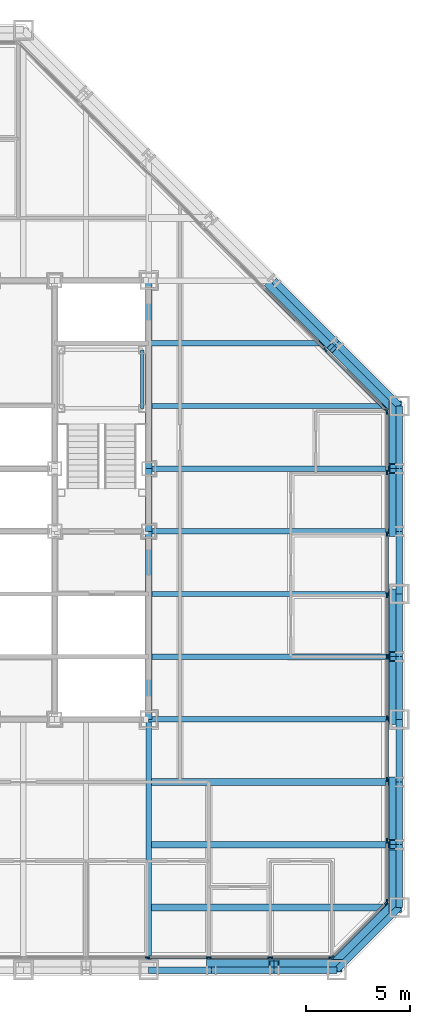
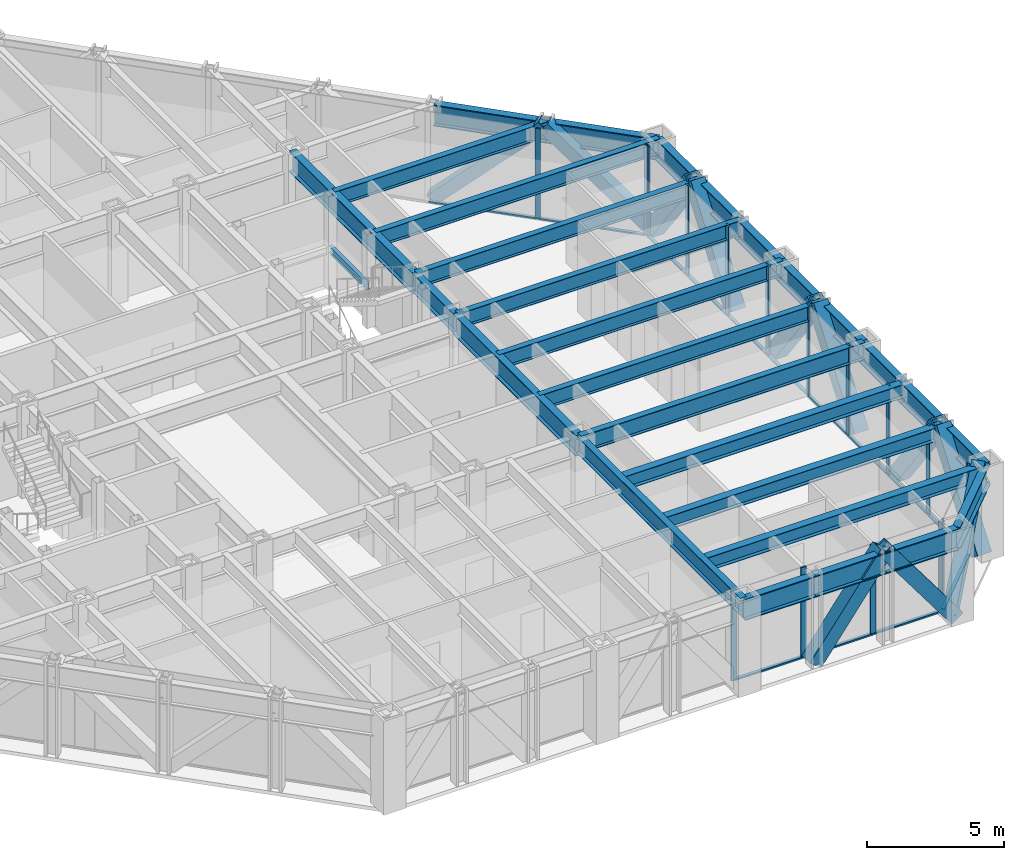
# One storey, part 6 of 16: 42 members, 29 beams, 4 elements without a shape of their own.
"""IFC4 building model written with IfcOpenShell, lengths in metres."""

from ifc_helpers import new_model, si_unit, direction, frame, origin, origin_2d, place, context, subcontext, project, spatial, rectangle, hollow_rectangle, i_section, extrude, material, layer, layer_set, material_profile, profile_set, type_object, element, aggregate, save


model = new_model("IFC4")

# Units and contexts
model_context = context("Model", 3, precision=1e-05, world=origin(), true_north=direction((0.0, 1.0)))
body_context = subcontext(model_context, "Body", "Model", "MODEL_VIEW")
ifc_project = project(units=[si_unit("LENGTHUNIT", "METRE"), si_unit("AREAUNIT", "SQUARE_METRE"), si_unit("VOLUMEUNIT", "CUBIC_METRE"), si_unit("PLANEANGLEUNIT", "RADIAN"), si_unit("MASSUNIT", "GRAM", prefix="KILO")], contexts=[model_context])

# Site, building, storey
site_placement = place(None, origin())
site = spatial("IfcSite", under=ifc_project, at=site_placement, CompositionType="ELEMENT")
building_placement = place(site_placement, origin())
building = spatial("IfcBuilding", under=site, at=building_placement, Name="Chuquiago Exchange Tower", CompositionType="ELEMENT")
storey_placement = place(building_placement, frame((0.0, 0.0, 111.0)))
storey = spatial("IfcBuildingStorey", under=building, at=storey_placement, Name="L23", CompositionType="ELEMENT", Elevation=111.0)

# Beams
ifc_material_1 = material(Name="Steel ASTM A992", Category="steel")
ifc_material_profile_1 = material_profile(ifc_material_1, i_section(OverallWidth=0.25390625, OverallDepth=0.683349609375, WebThickness=0.012451171875, FlangeThickness=0.018798828125, at=origin_2d()), Name="W27X94")
ifc_profile_set_1 = profile_set([ifc_material_profile_1], Name="Steel ASTM A992")
beam_type_1 = type_object("IfcBeamType", Name="B1 W27X94", PredefinedType="BEAM", material=ifc_profile_set_1)
for number, where, z_axis, x_axis, name in (
    (1, (33.0, 15.0, 3.698486328125), (1.0, 0.0, 0.0), (0.0, 1.0, 0.0), "FB-L24-infill-33_15-45_15-0"),
    (2, (33.0, 18.0, 3.698486328125), (1.0, 0.0, 0.0), (0.0, 1.0, 0.0), "FB-L24-infill-33_18-45_18-0"),
    (3, (33.0, 21.0, 3.698486328125), (1.0, 0.0, 0.0), (0.0, 1.0, 0.0), "FB-L24-infill-33_21-45_21-0"),
    (4, (33.0, 24.0, 3.698486328125), (1.0, 0.0, 0.0), (0.0, 1.0, 0.0), "FB-L24-infill-33_24-45_24-0"),
    (5, (33.0, 27.0, 3.698486328125), (1.0, 0.0, 0.0), (0.0, 1.0, 0.0), "FB-L24-infill-33_27-45_27-0"),
):
    element("IfcBeam", number, at=place(storey_placement, frame(where, z_axis=z_axis, x_axis=x_axis)), inside=storey, type_object=beam_type_1, Name=name, PredefinedType="BEAM", context=body_context, shape_type="SweptSolid", body=[
        extrude(i_section(OverallWidth=0.25390625, OverallDepth=0.683349609375, WebThickness=0.012451171875, FlangeThickness=0.018798828125, at=origin_2d()), origin(), (0.0, 0.0, 1.0), 12.0),
    ])
beam_1_placement = place(storey_placement, frame((33.0, 30.0, 3.698486328125), z_axis=(1.0, 0.0, 0.0), x_axis=(0.0, 1.0, 0.0)))
element("IfcBeam", 6, at=beam_1_placement, inside=storey, type_object=beam_type_1, Name="FB-L24-infill-33_30-42_30-0", PredefinedType="BEAM", context=body_context, shape_type="SweptSolid", body=[
    extrude(i_section(OverallWidth=0.25390625, OverallDepth=0.683349609375, WebThickness=0.012451171875, FlangeThickness=0.018798828125, at=origin_2d()), origin(), (0.0, 0.0, 1.0), 9.0),
])
ifc_material_2 = material(Name="Steel ASTM A992", Category="steel")
ifc_material_profile_2 = material_profile(ifc_material_2, i_section(OverallWidth=0.307373046875, OverallDepth=0.927001953125, WebThickness=0.01953125, FlangeThickness=0.031982421875, at=origin_2d()), Name="W36X194")
ifc_profile_set_2 = profile_set([ifc_material_profile_2], Name="Steel ASTM A992")
beam_type_2 = type_object("IfcBeamType", Name="B10 W36X194", PredefinedType="BEAM", material=ifc_profile_set_2)
for number, where, z_axis, x_axis, name in (
    (7, (33.0, 12.0, 3.576416015625), (0.0, 1.0, 0.0), (-1.0, 0.0, 0.0), "CB-L24-33_12-33_21"),
    (8, (33.0, 24.0, 3.576416015625), (0.0, 1.0, 0.0), (-1.0, 0.0, 0.0), "CB-L24-33_24-33_33"),
):
    element("IfcBeam", number, at=place(storey_placement, frame(where, z_axis=z_axis, x_axis=x_axis)), inside=storey, type_object=beam_type_2, Name=name, PredefinedType="BEAM", context=body_context, shape_type="SweptSolid", body=[
        extrude(i_section(OverallWidth=0.307373046875, OverallDepth=0.927001953125, WebThickness=0.01953125, FlangeThickness=0.031982421875, at=origin_2d()), origin(), (0.0, 0.0, 1.0), 9.0),
    ])
ifc_material_3 = material(Name="Steel ASTM A992", Category="steel")
ifc_material_profile_3 = material_profile(ifc_material_3, i_section(OverallWidth=0.3251953125, OverallDepth=0.612060546875, WebThickness=0.0126953125, FlangeThickness=0.01904296875, at=origin_2d()), Name="W24X104")
ifc_profile_set_3 = profile_set([ifc_material_profile_3], Name="Steel ASTM A992")
beam_type_3 = type_object("IfcBeamType", Name="B2 W24X104", PredefinedType="BEAM", material=ifc_profile_set_3)
for number, where, z_axis, x_axis, name in (
    (9, (33.0, 3.0, 3.73388671875), (1.0, 0.0, 0.0), (0.0, 1.0, 0.0), "FB-L24-corner-33_3-45_3-0"),
    (10, (33.0, 6.0, 3.73388671875), (1.0, 0.0, 0.0), (0.0, 1.0, 0.0), "FB-L24-corner-33_6-45_6-0"),
    (11, (33.0, 9.0, 3.73388671875), (1.0, 0.0, 0.0), (0.0, 1.0, 0.0), "FB-L24-corner-33_9-45_9-0"),
):
    element("IfcBeam", number, at=place(storey_placement, frame(where, z_axis=z_axis, x_axis=x_axis)), inside=storey, type_object=beam_type_3, Name=name, PredefinedType="BEAM", context=body_context, shape_type="SweptSolid", body=[
        extrude(i_section(OverallWidth=0.3251953125, OverallDepth=0.612060546875, WebThickness=0.0126953125, FlangeThickness=0.01904296875, at=origin_2d()), origin(), (0.0, 0.0, 1.0), 12.0),
    ])
ifc_material_4 = material(Name="Steel ASTM A992", Category="steel")
ifc_material_profile_4 = material_profile(ifc_material_4, i_section(OverallWidth=0.2919921875, OverallDepth=0.8583984375, WebThickness=0.01708984375, FlangeThickness=0.031005859375, at=origin_2d()), Name="W33X169")
ifc_profile_set_4 = profile_set([ifc_material_profile_4], Name="Steel ASTM A992")
beam_type_4 = type_object("IfcBeamType", Name="B3 W33X169", PredefinedType="BEAM", material=ifc_profile_set_4)
beam_2_placement = place(storey_placement, frame((33.0, 21.0, 3.610595703125), z_axis=(0.0, 1.0, 0.0), x_axis=(-1.0, 0.0, 0.0)))
element("IfcBeam", 12, at=beam_2_placement, inside=storey, type_object=beam_type_4, Name="CB-L24-33_21-33_24", PredefinedType="BEAM", context=body_context, shape_type="SweptSolid", body=[
    extrude(i_section(OverallWidth=0.2919921875, OverallDepth=0.8583984375, WebThickness=0.01708984375, FlangeThickness=0.031005859375, at=origin_2d()), origin(), (0.0, 0.0, 1.0), 3.0),
])

# Curtain wall, members
ifc_material_5 = material(Name="Aluminium curtain wall system", Category="aluminium")
ifc_layer_1 = layer(ifc_material_5, 0.22509765625)
ifc_layer_set_1 = layer_set([ifc_layer_1], Name="CW2 office curtain wall")
curtain_wall_type_1 = type_object("IfcCurtainWallType", Name="CW2 office curtain wall", PredefinedType="NOTDEFINED", material=ifc_layer_set_1)
curtain_wall_1_placement = place(storey_placement, origin())
curtain_wall_1 = element("IfcCurtainWall", 13, at=curtain_wall_1_placement, inside=storey, type_object=curtain_wall_type_1, Name="CW2 curtain wall L23", PredefinedType="NOTDEFINED")
ifc_material_6 = material(Name="Aluminium mullion, pale anodised", Category="aluminium")
ifc_material_profile_5 = material_profile(ifc_material_6, rectangle(XDim=0.06494140625, YDim=0.22509765625, at=origin_2d()), Name="AL 65x225")
ifc_profile_set_5 = profile_set([ifc_material_profile_5], Name="Aluminium mullion, pale anodised")
member_type_1 = type_object("IfcMemberType", Name="CW2-M mullion 65x225", PredefinedType="MULLION", material=ifc_profile_set_5)
member_1_placement = place(storey_placement, frame((32.93798828125, 0.60009765625, 0.0), z_axis=(0.0, 0.0, 1.0), x_axis=(0.0, 1.0, 0.0)))
member_1 = element("IfcMember", 14, at=member_1_placement, type_object=member_type_1, Name="CW2 mullion 6", PredefinedType="MULLION", context=body_context, shape_type="SweptSolid", body=[
    extrude(rectangle(XDim=0.06494140625, YDim=0.22509765625, at=origin_2d()), origin(), (0.0, 0.0, 1.0), 4.0400390625),
])
member_2_placement = place(storey_placement, frame((35.875732421875, 0.60009765625, 0.0), z_axis=(0.0, 0.0, 1.0), x_axis=(0.0, 1.0, 0.0)))
member_2 = element("IfcMember", 15, at=member_2_placement, type_object=member_type_1, Name="CW2 mullion 7", PredefinedType="MULLION", context=body_context, shape_type="SweptSolid", body=[
    extrude(rectangle(XDim=0.06494140625, YDim=0.22509765625, at=origin_2d()), origin(), (0.0, 0.0, 1.0), 4.0400390625),
])
member_3_placement = place(storey_placement, frame((38.813720703125, 0.60009765625, 0.0), z_axis=(0.0, 0.0, 1.0), x_axis=(0.0, 1.0, 0.0)))
member_3 = element("IfcMember", 16, at=member_3_placement, type_object=member_type_1, Name="CW2 mullion 8", PredefinedType="MULLION", context=body_context, shape_type="SweptSolid", body=[
    extrude(rectangle(XDim=0.06494140625, YDim=0.22509765625, at=origin_2d()), origin(), (0.0, 0.0, 1.0), 4.0400390625),
])
member_4_placement = place(storey_placement, frame((41.718994140625, 0.60009765625, 0.0), z_axis=(0.0, 0.0, 1.0), x_axis=(0.0, 1.0, 0.0)))
member_4 = element("IfcMember", 17, at=member_4_placement, type_object=member_type_1, Name="CW2 mullion 9", PredefinedType="MULLION", context=body_context, shape_type="SweptSolid", body=[
    extrude(rectangle(XDim=0.06494140625, YDim=0.22509765625, at=origin_2d()), origin(), (0.0, 0.0, 1.0), 4.0400390625),
])

curtain_wall_2_placement = place(storey_placement, origin())
curtain_wall_2 = element("IfcCurtainWall", 18, at=curtain_wall_2_placement, inside=storey, type_object=curtain_wall_type_1, Name="CW2 curtain wall L23", PredefinedType="NOTDEFINED")
member_5_placement = place(storey_placement, frame((44.39990234375, 3.281005859375, 0.0), z_axis=(0.0, 0.0, 1.0), x_axis=(-1.0, 0.0, 0.0)))
member_5 = element("IfcMember", 19, at=member_5_placement, type_object=member_type_1, Name="CW2 mullion 1", PredefinedType="MULLION", context=body_context, shape_type="SweptSolid", body=[
    extrude(rectangle(XDim=0.06494140625, YDim=0.22509765625, at=origin_2d()), origin(), (0.0, 0.0, 1.0), 4.0400390625),
])
member_6_placement = place(storey_placement, frame((44.39990234375, 6.186279296875, 0.0), z_axis=(0.0, 0.0, 1.0), x_axis=(-1.0, 0.0, 0.0)))
member_6 = element("IfcMember", 20, at=member_6_placement, type_object=member_type_1, Name="CW2 mullion 2", PredefinedType="MULLION", context=body_context, shape_type="SweptSolid", body=[
    extrude(rectangle(XDim=0.06494140625, YDim=0.22509765625, at=origin_2d()), origin(), (0.0, 0.0, 1.0), 4.0400390625),
])
member_7_placement = place(storey_placement, frame((44.39990234375, 9.124267578125, 0.0), z_axis=(0.0, 0.0, 1.0), x_axis=(-1.0, 0.0, 0.0)))
member_7 = element("IfcMember", 21, at=member_7_placement, type_object=member_type_1, Name="CW2 mullion 3", PredefinedType="MULLION", context=body_context, shape_type="SweptSolid", body=[
    extrude(rectangle(XDim=0.06494140625, YDim=0.22509765625, at=origin_2d()), origin(), (0.0, 0.0, 1.0), 4.0400390625),
])
member_8_placement = place(storey_placement, frame((44.39990234375, 12.06201171875, 0.0), z_axis=(0.0, 0.0, 1.0), x_axis=(-1.0, 0.0, 0.0)))
member_8 = element("IfcMember", 22, at=member_8_placement, type_object=member_type_1, Name="CW2 mullion 4", PredefinedType="MULLION", context=body_context, shape_type="SweptSolid", body=[
    extrude(rectangle(XDim=0.06494140625, YDim=0.22509765625, at=origin_2d()), origin(), (0.0, 0.0, 1.0), 4.0400390625),
])
member_9_placement = place(storey_placement, frame((44.39990234375, 15.0, 0.0), z_axis=(0.0, 0.0, 1.0), x_axis=(-1.0, 0.0, 0.0)))
member_9 = element("IfcMember", 23, at=member_9_placement, type_object=member_type_1, Name="CW2 mullion 5", PredefinedType="MULLION", context=body_context, shape_type="SweptSolid", body=[
    extrude(rectangle(XDim=0.06494140625, YDim=0.22509765625, at=origin_2d()), origin(), (0.0, 0.0, 1.0), 4.0400390625),
])
member_10_placement = place(storey_placement, frame((44.39990234375, 17.93798828125, 0.0), z_axis=(0.0, 0.0, 1.0), x_axis=(-1.0, 0.0, 0.0)))
member_10 = element("IfcMember", 24, at=member_10_placement, type_object=member_type_1, Name="CW2 mullion 6", PredefinedType="MULLION", context=body_context, shape_type="SweptSolid", body=[
    extrude(rectangle(XDim=0.06494140625, YDim=0.22509765625, at=origin_2d()), origin(), (0.0, 0.0, 1.0), 4.0400390625),
])
member_11_placement = place(storey_placement, frame((44.39990234375, 20.875732421875, 0.0), z_axis=(0.0, 0.0, 1.0), x_axis=(-1.0, 0.0, 0.0)))
member_11 = element("IfcMember", 25, at=member_11_placement, type_object=member_type_1, Name="CW2 mullion 7", PredefinedType="MULLION", context=body_context, shape_type="SweptSolid", body=[
    extrude(rectangle(XDim=0.06494140625, YDim=0.22509765625, at=origin_2d()), origin(), (0.0, 0.0, 1.0), 4.0400390625),
])
member_12_placement = place(storey_placement, frame((44.39990234375, 23.813720703125, 0.0), z_axis=(0.0, 0.0, 1.0), x_axis=(-1.0, 0.0, 0.0)))
member_12 = element("IfcMember", 26, at=member_12_placement, type_object=member_type_1, Name="CW2 mullion 8", PredefinedType="MULLION", context=body_context, shape_type="SweptSolid", body=[
    extrude(rectangle(XDim=0.06494140625, YDim=0.22509765625, at=origin_2d()), origin(), (0.0, 0.0, 1.0), 4.0400390625),
])
member_13_placement = place(storey_placement, frame((44.39990234375, 26.718994140625, 0.0), z_axis=(0.0, 0.0, 1.0), x_axis=(-1.0, 0.0, 0.0)))
member_13 = element("IfcMember", 27, at=member_13_placement, type_object=member_type_1, Name="CW2 mullion 9", PredefinedType="MULLION", context=body_context, shape_type="SweptSolid", body=[
    extrude(rectangle(XDim=0.06494140625, YDim=0.22509765625, at=origin_2d()), origin(), (0.0, 0.0, 1.0), 4.0400390625),
])

# Member
ifc_material_7 = material(Name="Aluminium transom, pale anodised", Category="aluminium")
ifc_material_profile_6 = material_profile(ifc_material_7, rectangle(XDim=0.139892578125, YDim=0.06494140625, at=origin_2d()), Name="AL 140x65")
ifc_profile_set_6 = profile_set([ifc_material_profile_6], Name="Aluminium transom, pale anodised")
member_type_2 = type_object("IfcMemberType", Name="CW2-T transom 65x140", PredefinedType="MULLION", material=ifc_profile_set_6)
member_14_placement = place(storey_placement, frame((32.970458984375, 0.60009765625, 0.032470703125), z_axis=(1.0, 0.0, 0.0), x_axis=(0.0, 1.0, 0.0)))
member_14 = element("IfcMember", 28, at=member_14_placement, type_object=member_type_2, Name="CW2 transom 6.1", PredefinedType="MULLION", context=body_context, shape_type="SweptSolid", body=[
    extrude(rectangle(XDim=0.139892578125, YDim=0.06494140625, at=origin_2d()), origin(), (0.0, 0.0, 1.0), 2.872802734375),
])

member_15_placement = place(storey_placement, frame((35.908203125, 0.60009765625, 0.032470703125), z_axis=(1.0, 0.0, 0.0), x_axis=(0.0, 1.0, 0.0)))
member_15 = element("IfcMember", 29, at=member_15_placement, type_object=member_type_2, Name="CW2 transom 7.1", PredefinedType="MULLION", context=body_context, shape_type="SweptSolid", body=[
    extrude(rectangle(XDim=0.139892578125, YDim=0.06494140625, at=origin_2d()), origin(), (0.0, 0.0, 1.0), 2.872802734375),
])

member_16_placement = place(storey_placement, frame((38.84619140625, 0.60009765625, 0.032470703125), z_axis=(1.0, 0.0, 0.0), x_axis=(0.0, 1.0, 0.0)))
member_16 = element("IfcMember", 30, at=member_16_placement, type_object=member_type_2, Name="CW2 transom 8.1", PredefinedType="MULLION", context=body_context, shape_type="SweptSolid", body=[
    extrude(rectangle(XDim=0.139892578125, YDim=0.06494140625, at=origin_2d()), origin(), (0.0, 0.0, 1.0), 2.84033203125),
])

aggregate(curtain_wall_1, [member_1, member_2, member_3, member_4, member_14, member_15, member_16])

member_17_placement = place(storey_placement, frame((44.39990234375, 3.3134765625, 0.032470703125), z_axis=(0.0, 1.0, 0.0), x_axis=(-1.0, 0.0, 0.0)))
member_17 = element("IfcMember", 31, at=member_17_placement, type_object=member_type_2, Name="CW2 transom 1.1", PredefinedType="MULLION", context=body_context, shape_type="SweptSolid", body=[
    extrude(rectangle(XDim=0.139892578125, YDim=0.06494140625, at=origin_2d()), origin(), (0.0, 0.0, 1.0), 2.84033203125),
])

member_18_placement = place(storey_placement, frame((44.39990234375, 6.218994140625, 0.032470703125), z_axis=(0.0, 1.0, 0.0), x_axis=(-1.0, 0.0, 0.0)))
member_18 = element("IfcMember", 32, at=member_18_placement, type_object=member_type_2, Name="CW2 transom 2.1", PredefinedType="MULLION", context=body_context, shape_type="SweptSolid", body=[
    extrude(rectangle(XDim=0.139892578125, YDim=0.06494140625, at=origin_2d()), origin(), (0.0, 0.0, 1.0), 2.872802734375),
])

member_19_placement = place(storey_placement, frame((44.39990234375, 9.15673828125, 0.032470703125), z_axis=(0.0, 1.0, 0.0), x_axis=(-1.0, 0.0, 0.0)))
member_19 = element("IfcMember", 33, at=member_19_placement, type_object=member_type_2, Name="CW2 transom 3.1", PredefinedType="MULLION", context=body_context, shape_type="SweptSolid", body=[
    extrude(rectangle(XDim=0.139892578125, YDim=0.06494140625, at=origin_2d()), origin(), (0.0, 0.0, 1.0), 2.872802734375),
])

member_20_placement = place(storey_placement, frame((44.39990234375, 12.0947265625, 0.032470703125), z_axis=(0.0, 1.0, 0.0), x_axis=(-1.0, 0.0, 0.0)))
member_20 = element("IfcMember", 34, at=member_20_placement, type_object=member_type_2, Name="CW2 transom 4.1", PredefinedType="MULLION", context=body_context, shape_type="SweptSolid", body=[
    extrude(rectangle(XDim=0.139892578125, YDim=0.06494140625, at=origin_2d()), origin(), (0.0, 0.0, 1.0), 2.872802734375),
])

member_21_placement = place(storey_placement, frame((44.39990234375, 15.032470703125, 0.032470703125), z_axis=(0.0, 1.0, 0.0), x_axis=(-1.0, 0.0, 0.0)))
member_21 = element("IfcMember", 35, at=member_21_placement, type_object=member_type_2, Name="CW2 transom 5.1", PredefinedType="MULLION", context=body_context, shape_type="SweptSolid", body=[
    extrude(rectangle(XDim=0.139892578125, YDim=0.06494140625, at=origin_2d()), origin(), (0.0, 0.0, 1.0), 2.872802734375),
])

member_22_placement = place(storey_placement, frame((44.39990234375, 17.970458984375, 0.032470703125), z_axis=(0.0, 1.0, 0.0), x_axis=(-1.0, 0.0, 0.0)))
member_22 = element("IfcMember", 36, at=member_22_placement, type_object=member_type_2, Name="CW2 transom 6.1", PredefinedType="MULLION", context=body_context, shape_type="SweptSolid", body=[
    extrude(rectangle(XDim=0.139892578125, YDim=0.06494140625, at=origin_2d()), origin(), (0.0, 0.0, 1.0), 2.872802734375),
])

member_23_placement = place(storey_placement, frame((44.39990234375, 20.908203125, 0.032470703125), z_axis=(0.0, 1.0, 0.0), x_axis=(-1.0, 0.0, 0.0)))
member_23 = element("IfcMember", 37, at=member_23_placement, type_object=member_type_2, Name="CW2 transom 7.1", PredefinedType="MULLION", context=body_context, shape_type="SweptSolid", body=[
    extrude(rectangle(XDim=0.139892578125, YDim=0.06494140625, at=origin_2d()), origin(), (0.0, 0.0, 1.0), 2.872802734375),
])

member_24_placement = place(storey_placement, frame((44.39990234375, 23.84619140625, 0.032470703125), z_axis=(0.0, 1.0, 0.0), x_axis=(-1.0, 0.0, 0.0)))
member_24 = element("IfcMember", 38, at=member_24_placement, type_object=member_type_2, Name="CW2 transom 8.1", PredefinedType="MULLION", context=body_context, shape_type="SweptSolid", body=[
    extrude(rectangle(XDim=0.139892578125, YDim=0.06494140625, at=origin_2d()), origin(), (0.0, 0.0, 1.0), 2.84033203125),
])

aggregate(curtain_wall_2, [member_5, member_6, member_7, member_8, member_9, member_10, member_11, member_12, member_13, member_17, member_18, member_19, member_20, member_21, member_22, member_23, member_24])

# Curtain wall, members
ifc_material_8 = material(Name="Aluminium curtain wall system", Category="aluminium")
ifc_layer_2 = layer(ifc_material_8, 0.199951171875)
ifc_layer_set_2 = layer_set([ifc_layer_2], Name="CW3 facet curtain wall")
curtain_wall_type_2 = type_object("IfcCurtainWallType", Name="CW3 facet curtain wall", PredefinedType="NOTDEFINED", material=ifc_layer_set_2)
curtain_wall_3_placement = place(storey_placement, origin())
curtain_wall_3 = element("IfcCurtainWall", 39, at=curtain_wall_3_placement, inside=storey, type_object=curtain_wall_type_2, Name="CW3 curtain wall L23", PredefinedType="NOTDEFINED")
ifc_material_9 = material(Name="Aluminium mullion, pale anodised", Category="aluminium")
ifc_material_profile_7 = material_profile(ifc_material_9, rectangle(XDim=0.06494140625, YDim=0.199951171875, at=origin_2d()), Name="AL 65x200")
ifc_profile_set_7 = profile_set([ifc_material_profile_7], Name="Aluminium mullion, pale anodised")
member_type_3 = type_object("IfcMemberType", Name="CW3-M mullion 65x200", PredefinedType="MULLION", material=ifc_profile_set_7)
member_25_placement = place(storey_placement, frame((41.7744140625, 0.623046875, 0.0), z_axis=(0.0, 0.0, 1.0), x_axis=(-0.707106781187, 0.707106781187, 0.0)))
member_25 = element("IfcMember", 40, at=member_25_placement, type_object=member_type_3, Name="CW3 mullion 1", PredefinedType="MULLION", context=body_context, shape_type="SweptSolid", body=[
    extrude(rectangle(XDim=0.06494140625, YDim=0.199951171875, at=origin_2d()), origin(), (0.0, 0.0, 1.0), 4.0400390625),
])
member_26_placement = place(storey_placement, frame((44.376953125, 3.2255859375, 0.0), z_axis=(0.0, 0.0, 1.0), x_axis=(-0.707106781187, 0.707106781187, 0.0)))
member_26 = element("IfcMember", 41, at=member_26_placement, type_object=member_type_3, Name="CW3 mullion 2", PredefinedType="MULLION", context=body_context, shape_type="SweptSolid", body=[
    extrude(rectangle(XDim=0.06494140625, YDim=0.199951171875, at=origin_2d()), origin(), (0.0, 0.0, 1.0), 4.0400390625),
])

curtain_wall_4_placement = place(storey_placement, origin())
curtain_wall_4 = element("IfcCurtainWall", 42, at=curtain_wall_4_placement, inside=storey, type_object=curtain_wall_type_2, Name="CW3 curtain wall L23", PredefinedType="NOTDEFINED")
member_27_placement = place(storey_placement, frame((44.376953125, 26.7744140625, 0.0), z_axis=(0.0, 0.0, 1.0), x_axis=(-0.707106781187, -0.707106781187, 0.0)))
member_27 = element("IfcMember", 43, at=member_27_placement, type_object=member_type_3, Name="CW3 mullion 1", PredefinedType="MULLION", context=body_context, shape_type="SweptSolid", body=[
    extrude(rectangle(XDim=0.06494140625, YDim=0.199951171875, at=origin_2d()), origin(), (0.0, 0.0, 1.0), 4.0400390625),
])
member_28_placement = place(storey_placement, frame((41.45849609375, 29.69287109375, 0.0), z_axis=(0.0, 0.0, 1.0), x_axis=(-0.707106781187, -0.707106781187, 0.0)))
member_28 = element("IfcMember", 44, at=member_28_placement, type_object=member_type_3, Name="CW3 mullion 2", PredefinedType="MULLION", context=body_context, shape_type="SweptSolid", body=[
    extrude(rectangle(XDim=0.06494140625, YDim=0.199951171875, at=origin_2d()), origin(), (0.0, 0.0, 1.0), 4.0400390625),
])

# Member
ifc_material_10 = material(Name="Aluminium transom, pale anodised", Category="aluminium")
ifc_material_profile_8 = material_profile(ifc_material_10, rectangle(XDim=0.139892578125, YDim=0.06494140625, at=origin_2d()), Name="AL 140x65")
ifc_profile_set_8 = profile_set([ifc_material_profile_8], Name="Aluminium transom, pale anodised")
member_type_4 = type_object("IfcMemberType", Name="CW3-T transom 65x140", PredefinedType="MULLION", material=ifc_profile_set_8)
member_29_placement = place(storey_placement, frame((41.79736328125, 0.64599609375, 0.032470703125), z_axis=(0.707106781187, 0.707106781187, 0.0), x_axis=(-0.707106781187, 0.707106781187, 0.0)))
member_29 = element("IfcMember", 45, at=member_29_placement, type_object=member_type_4, Name="CW3 transom 1.1", PredefinedType="MULLION", context=body_context, shape_type="SweptSolid", body=[
    extrude(rectangle(XDim=0.139892578125, YDim=0.06494140625, at=origin_2d()), origin(), (0.0, 0.0, 1.0), 3.61572265625),
])

aggregate(curtain_wall_3, [member_25, member_26, member_29])

member_30_placement = place(storey_placement, frame((44.35400390625, 26.79736328125, 0.032470703125), z_axis=(-0.707106781187, 0.707106781187, 0.0), x_axis=(-0.707106781187, -0.707106781187, 0.0)))
member_30 = element("IfcMember", 46, at=member_30_placement, type_object=member_type_4, Name="CW3 transom 1.1", PredefinedType="MULLION", context=body_context, shape_type="SweptSolid", body=[
    extrude(rectangle(XDim=0.139892578125, YDim=0.06494140625, at=origin_2d()), origin(), (0.0, 0.0, 1.0), 4.0625),
])

member_31_placement = place(storey_placement, frame((41.435546875, 29.7158203125, 0.032470703125), z_axis=(-0.707106781187, 0.707106781187, 0.0), x_axis=(-0.707106781187, -0.707106781187, 0.0)))
member_31 = element("IfcMember", 47, at=member_31_placement, type_object=member_type_4, Name="CW3 transom 2.1", PredefinedType="MULLION", context=body_context, shape_type="SweptSolid", body=[
    extrude(rectangle(XDim=0.139892578125, YDim=0.06494140625, at=origin_2d()), origin(), (0.0, 0.0, 1.0), 4.094970703125),
])

aggregate(curtain_wall_4, [member_27, member_28, member_30, member_31])

# Beams
ifc_material_11 = material(Name="Steel ASTM A992", Category="steel")
ifc_material_profile_9 = material_profile(ifc_material_11, i_section(OverallWidth=0.2666015625, OverallDepth=0.76953125, WebThickness=0.015625, FlangeThickness=0.025390625, at=origin_2d()), Name="W30X132")
ifc_profile_set_9 = profile_set([ifc_material_profile_9], Name="Steel ASTM A992")
beam_type_5 = type_object("IfcBeamType", Name="G1 W30X132", PredefinedType="BEAM", material=ifc_profile_set_9)
for number, where, z_axis, x_axis, name in (
    (48, (33.0, 12.0, 3.6552734375), (0.0, -1.0, 0.0), (1.0, 0.0, 0.0), "FB-L24-girder-33_12-33_-0-0"),
    (49, (33.0, 12.0, 3.6552734375), (1.0, 0.0, 0.0), (0.0, 1.0, 0.0), "FB-L24-girder-33_12-45_12-0"),
):
    element("IfcBeam", number, at=place(storey_placement, frame(where, z_axis=z_axis, x_axis=x_axis)), inside=storey, type_object=beam_type_5, Name=name, PredefinedType="BEAM", context=body_context, shape_type="SweptSolid", body=[
        extrude(i_section(OverallWidth=0.2666015625, OverallDepth=0.76953125, WebThickness=0.015625, FlangeThickness=0.025390625, at=origin_2d()), origin(), (0.0, 0.0, 1.0), 12.0),
    ])

# Members
ifc_material_12 = material(Name="Steel ASTM A500 Grade C", Category="steel")
ifc_material_profile_10 = material_profile(ifc_material_12, hollow_rectangle(XDim=0.508056640625, YDim=0.508056640625, WallThickness=0.017822265625, at=origin_2d()), Name="HSS20X20X3/4")
ifc_profile_set_10 = profile_set([ifc_material_profile_10], Name="Steel ASTM A500 Grade C")
member_type_5 = type_object("IfcMemberType", Name="LB1 HSS20X20X3/4", PredefinedType="BRACE", material=ifc_profile_set_10)
for number, where, z_axis, x_axis, name in (
    (50, (41.822509765625, 0.177490234375, 0.0), (0.512077265487, 0.512077265487, 0.689604051861), (-0.707106781187, 0.707106781187, 0.0), "LB-L23-42_0-45_3"),
    (51, (44.822509765625, 26.822509765625, 0.0), (-0.512077265487, 0.512077265487, 0.689604051861), (-0.707106781187, -0.707106781187, 0.0), "LB-L23-45_27-42_30"),
    (52, (38.822509765625, 32.822509765625, 0.0), (0.512077265487, -0.512077265487, 0.689604051861), (0.707106781187, 0.707106781187, 0.0), "LB-L23-42_30-39_33"),
):
    element("IfcMember", number, at=place(storey_placement, frame(where, z_axis=z_axis, x_axis=x_axis)), inside=storey, type_object=member_type_5, Name=name, PredefinedType="BRACE", context=body_context, shape_type="SweptSolid", body=[
        extrude(hollow_rectangle(XDim=0.508056640625, YDim=0.508056640625, WallThickness=0.017822265625, at=origin_2d()), origin(), (0.0, 0.0, 1.0), 5.8583984375),
    ])

# Beam
ifc_material_13 = material(Name="Steel ASTM A992", Category="steel")
ifc_material_profile_11 = material_profile(ifc_material_13, i_section(OverallWidth=0.164794921875, OverallDepth=0.309814453125, WebThickness=0.005859375, FlangeThickness=0.009765625, at=origin_2d()), Name="W12X26")
ifc_profile_set_11 = profile_set([ifc_material_profile_11], Name="Steel ASTM A992")
beam_type_6 = type_object("IfcBeamType", Name="LS1 W12X26", PredefinedType="BEAM", material=ifc_profile_set_11)
beam_3_placement = place(storey_placement, frame((32.68994140625, 26.889892578125, 1.7451171875), z_axis=(0.0, 1.0, 0.0), x_axis=(-1.0, 0.0, 0.0)))
element("IfcBeam", 53, at=beam_3_placement, inside=storey, type_object=beam_type_6, Name="Stair ST2 L23 landing 1 stringer", PredefinedType="BEAM", context=body_context, shape_type="SweptSolid", body=[
    extrude(i_section(OverallWidth=0.164794921875, OverallDepth=0.309814453125, WebThickness=0.005859375, FlangeThickness=0.009765625, at=origin_2d()), origin(), (0.0, 0.0, 1.0), 2.800048828125),
])

# Members
ifc_material_14 = material(Name="Steel ASTM A572 Grade 50", Category="steel")
ifc_material_profile_12 = material_profile(ifc_material_14, hollow_rectangle(XDim=0.60009765625, YDim=0.60009765625, WallThickness=0.06005859375, at=origin_2d()), Name="BOX600X600X60")
ifc_profile_set_12 = profile_set([ifc_material_profile_12], Name="Steel ASTM A572 Grade 50")
member_type_6 = type_object("IfcMemberType", Name="MB2 BOX600X600X60", PredefinedType="BRACE", material=ifc_profile_set_12)
for number, where, z_axis, x_axis, name in (
    (54, (36.0, 0.205078125, 0.0), (0.596173923302, 0.0, 0.802855312728), (0.0, 1.0, 0.0), "Mega diagonal L23 S face"),
    (55, (42.0, 0.205078125, 0.0), (-0.596173923302, 0.0, 0.802855312728), (0.0, -1.0, 0.0), "Mega diagonal L23 S face"),
    (56, (44.794921875, 3.0, 0.0), (0.0, 0.596173923302, 0.802855312728), (-1.0, 0.0, 0.0), "Mega diagonal L23 E face"),
    (57, (44.794921875, 9.0, 0.0), (0.0, -0.596173923302, 0.802855312728), (1.0, 0.0, 0.0), "Mega diagonal L23 E face"),
    (58, (44.794921875, 12.0, 0.0), (0.0, 0.596173923302, 0.802855312728), (-1.0, 0.0, 0.0), "Mega diagonal L23 E face"),
    (59, (44.794921875, 18.0, 0.0), (0.0, -0.596173923302, 0.802855312728), (1.0, 0.0, 0.0), "Mega diagonal L23 E face"),
    (60, (44.794921875, 21.0, 0.0), (0.0, 0.596173923302, 0.802855312728), (-1.0, 0.0, 0.0), "Mega diagonal L23 E face"),
    (61, (44.794921875, 27.0, 0.0), (0.0, -0.596173923302, 0.802855312728), (1.0, 0.0, 0.0), "Mega diagonal L23 E face"),
):
    element("IfcMember", number, at=place(storey_placement, frame(where, z_axis=z_axis, x_axis=x_axis)), inside=storey, type_object=member_type_6, Name=name, PredefinedType="BRACE", context=body_context, shape_type="SweptSolid", body=[
        extrude(hollow_rectangle(XDim=0.60009765625, YDim=0.60009765625, WallThickness=0.06005859375, at=origin_2d()), origin(), (0.0, 0.0, 1.0), 5.031982421875),
    ])

# Beams
ifc_material_15 = material(Name="Steel ASTM A992", Category="steel")
ifc_material_profile_13 = material_profile(ifc_material_15, i_section(OverallWidth=0.309814453125, OverallDepth=0.949951171875, WebThickness=0.0244140625, FlangeThickness=0.0439453125, at=origin_2d()), Name="W36X256")
ifc_profile_set_13 = profile_set([ifc_material_profile_13], Name="Steel ASTM A992")
beam_type_7 = type_object("IfcBeamType", Name="SP2 W36X256", PredefinedType="SPANDREL", material=ifc_profile_set_13)
for number, where, z_axis, x_axis, name in (
    (62, (33.0, 0.0, 3.56494140625), (1.0, 0.0, 0.0), (0.0, 1.0, 0.0), "SPB-L24-33_0-36_0"),
    (63, (36.0, 0.0, 3.56494140625), (1.0, 0.0, 0.0), (0.0, 1.0, 0.0), "SPB-L24-36_0-39_0"),
    (64, (39.0, 0.0, 3.56494140625), (1.0, 0.0, 0.0), (0.0, 1.0, 0.0), "SPB-L24-39_0-42_0"),
):
    element("IfcBeam", number, at=place(storey_placement, frame(where, z_axis=z_axis, x_axis=x_axis)), inside=storey, type_object=beam_type_7, Name=name, PredefinedType="SPANDREL", context=body_context, shape_type="SweptSolid", body=[
        extrude(i_section(OverallWidth=0.309814453125, OverallDepth=0.949951171875, WebThickness=0.0244140625, FlangeThickness=0.0439453125, at=origin_2d()), origin(), (0.0, 0.0, 1.0), 3.0),
    ])
beam_4_placement = place(storey_placement, frame((42.0, 0.0, 3.56494140625), z_axis=(0.707106781187, 0.707106781187, 0.0), x_axis=(-0.707106781187, 0.707106781187, 0.0)))
element("IfcBeam", 65, at=beam_4_placement, inside=storey, type_object=beam_type_7, Name="SPB-L24-42_0-45_3", PredefinedType="SPANDREL", context=body_context, shape_type="SweptSolid", body=[
    extrude(i_section(OverallWidth=0.309814453125, OverallDepth=0.949951171875, WebThickness=0.0244140625, FlangeThickness=0.0439453125, at=origin_2d()), origin(), (0.0, 0.0, 1.0), 4.24267578125),
])
for number, where, z_axis, x_axis, name in (
    (66, (45.0, 3.0, 3.56494140625), (0.0, 1.0, 0.0), (-1.0, 0.0, 0.0), "SPB-L24-45_3-45_6"),
    (67, (45.0, 6.0, 3.56494140625), (0.0, 1.0, 0.0), (-1.0, 0.0, 0.0), "SPB-L24-45_6-45_9"),
    (68, (45.0, 9.0, 3.56494140625), (0.0, 1.0, 0.0), (-1.0, 0.0, 0.0), "SPB-L24-45_9-45_12"),
    (69, (45.0, 12.0, 3.56494140625), (0.0, 1.0, 0.0), (-1.0, 0.0, 0.0), "SPB-L24-45_12-45_15"),
    (70, (45.0, 15.0, 3.56494140625), (0.0, 1.0, 0.0), (-1.0, 0.0, 0.0), "SPB-L24-45_15-45_18"),
    (71, (45.0, 18.0, 3.56494140625), (0.0, 1.0, 0.0), (-1.0, 0.0, 0.0), "SPB-L24-45_18-45_21"),
    (72, (45.0, 21.0, 3.56494140625), (0.0, 1.0, 0.0), (-1.0, 0.0, 0.0), "SPB-L24-45_21-45_24"),
    (73, (45.0, 24.0, 3.56494140625), (0.0, 1.0, 0.0), (-1.0, 0.0, 0.0), "SPB-L24-45_24-45_27"),
):
    element("IfcBeam", number, at=place(storey_placement, frame(where, z_axis=z_axis, x_axis=x_axis)), inside=storey, type_object=beam_type_7, Name=name, PredefinedType="SPANDREL", context=body_context, shape_type="SweptSolid", body=[
        extrude(i_section(OverallWidth=0.309814453125, OverallDepth=0.949951171875, WebThickness=0.0244140625, FlangeThickness=0.0439453125, at=origin_2d()), origin(), (0.0, 0.0, 1.0), 3.0),
    ])
for number, where, z_axis, x_axis, name in (
    (74, (45.0, 27.0, 3.56494140625), (-0.707106781187, 0.707106781187, 0.0), (-0.707106781187, -0.707106781187, 0.0), "SPB-L24-45_27-42_30"),
    (75, (42.0, 30.0, 3.56494140625), (-0.707106781187, 0.707106781187, 0.0), (-0.707106781187, -0.707106781187, 0.0), "SPB-L24-42_30-39_33"),
):
    element("IfcBeam", number, at=place(storey_placement, frame(where, z_axis=z_axis, x_axis=x_axis)), inside=storey, type_object=beam_type_7, Name=name, PredefinedType="SPANDREL", context=body_context, shape_type="SweptSolid", body=[
        extrude(i_section(OverallWidth=0.309814453125, OverallDepth=0.949951171875, WebThickness=0.0244140625, FlangeThickness=0.0439453125, at=origin_2d()), origin(), (0.0, 0.0, 1.0), 4.24267578125),
    ])

save(model, "model.ifc")
